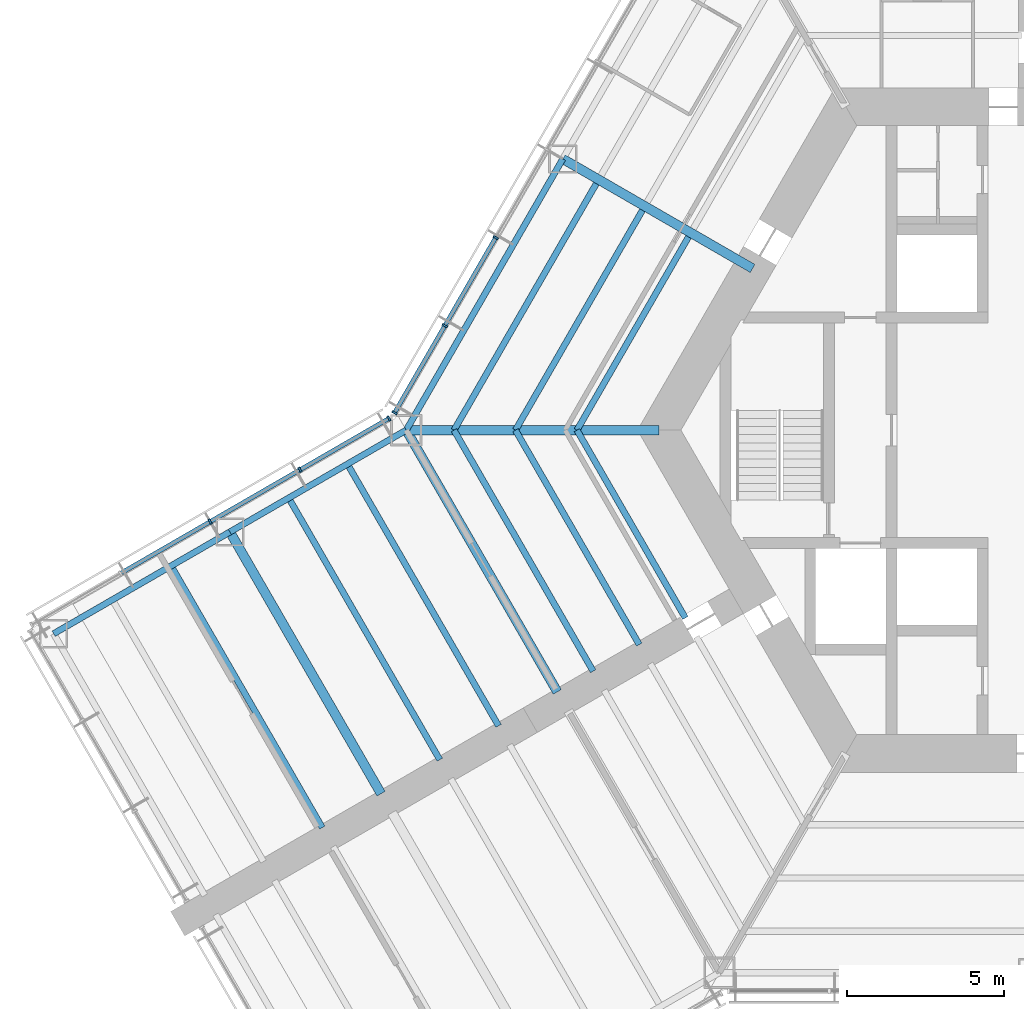
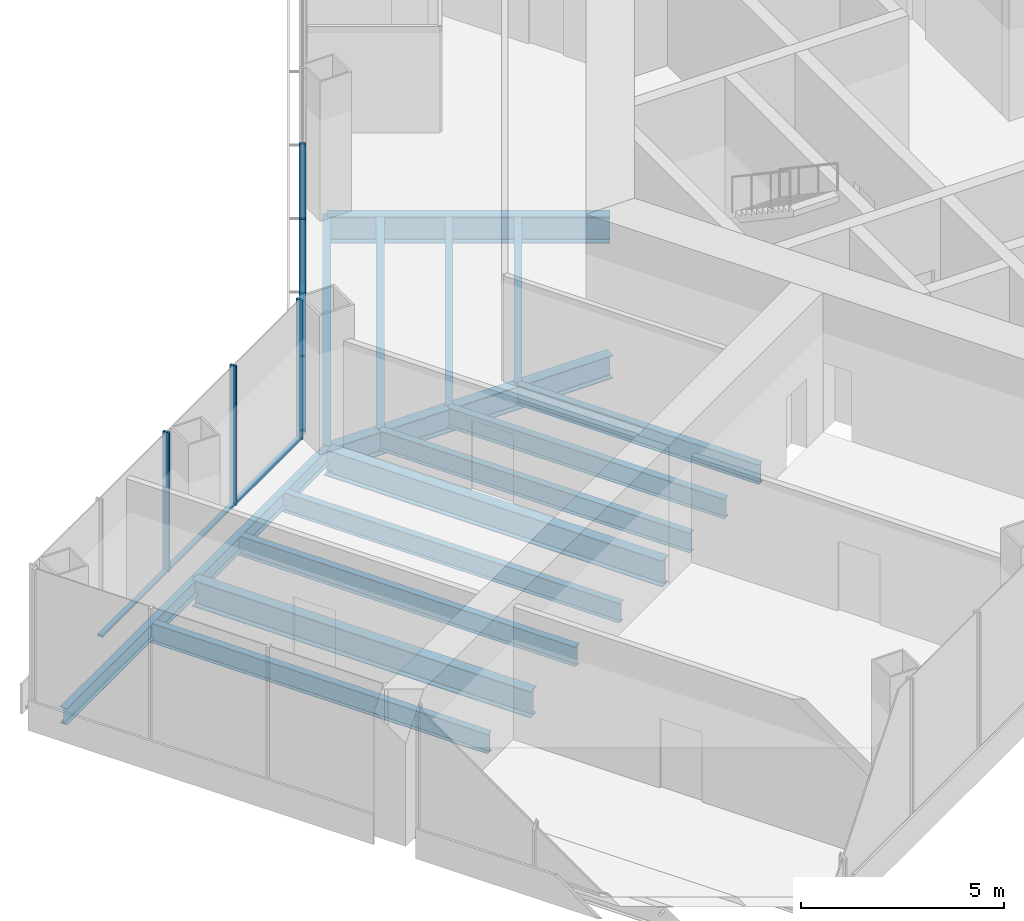
# One storey, part 3 of 16: 16 beams, 11 members, 2 elements without a shape of their own.
"""IFC4 building model written with IfcOpenShell, lengths in metres."""

from ifc_helpers import new_model, si_unit, direction, frame, origin, origin_2d, place, context, subcontext, project, spatial, rectangle, i_section, extrude, material, material_profile, profile_set, type_object, element, aggregate, save


model = new_model("IFC4")

# Units and contexts
model_context = context("Model", 3, precision=1e-05, world=origin(), true_north=direction((0.0, 1.0)))
body_context = subcontext(model_context, "Body", "Model", "MODEL_VIEW")
ifc_project = project(units=[si_unit("LENGTHUNIT", "METRE"), si_unit("AREAUNIT", "SQUARE_METRE"), si_unit("VOLUMEUNIT", "CUBIC_METRE"), si_unit("PLANEANGLEUNIT", "RADIAN"), si_unit("MASSUNIT", "GRAM", prefix="KILO")], contexts=[model_context])

# Site, building, storey
site_placement = place(None, origin())
site = spatial("IfcSite", under=ifc_project, at=site_placement, CompositionType="ELEMENT")
building_placement = place(site_placement, origin())
building = spatial("IfcBuilding", under=site, at=building_placement, Name="Kasaneha Research Tower", CompositionType="ELEMENT")
storey_placement = place(building_placement, frame((0.0, 0.0, 14.199951171875)))
storey = spatial("IfcBuildingStorey", under=building, at=storey_placement, Name="L04", CompositionType="ELEMENT", Elevation=14.199951171875)

# Beams
ifc_material_1 = material(Name="Steel SN490B", Category="steel")
ifc_material_profile_1 = material_profile(ifc_material_1, i_section(OverallWidth=0.199951171875, OverallDepth=0.60009765625, WebThickness=0.010986328125, FlangeThickness=0.01708984375, FilletRadius=0.012939453125, at=origin_2d()), Name="H-600x200x11x17")
ifc_profile_set_1 = profile_set([ifc_material_profile_1], Name="Steel SN490B")
beam_type_1 = type_object("IfcBeamType", Name="B1-1 secondary beam H-600x200x11x17", PredefinedType="JOIST", material=ifc_profile_set_1)
beam_1_placement = place(storey_placement, frame((-14.54931640625, 0.0, -0.5), z_axis=(0.500016104636, 0.866016105569, 0.0), x_axis=(-0.866016105569, 0.500016104636, 0.0)))
element("IfcBeam", 1, at=beam_1_placement, inside=storey, type_object=beam_type_1, Name="Secondary beam RS150R1 L04", PredefinedType="JOIST", context=body_context, shape_type="SweptSolid", body=[
    extrude(i_section(OverallWidth=0.199951171875, OverallDepth=0.60009765625, WebThickness=0.010986328125, FlangeThickness=0.01708984375, FilletRadius=0.012939453125, at=origin_2d()), origin(), (0.0, 0.0, 1.0), 7.124755859375),
])
beam_2_placement = place(storey_placement, frame((-16.51220703125, 0.0, -0.5), z_axis=(0.49999707157, 0.866027094508, 0.0), x_axis=(-0.866027094508, 0.49999707157, 0.0)))
element("IfcBeam", 2, at=beam_2_placement, inside=storey, type_object=beam_type_1, Name="Secondary beam RS150R2 L04", PredefinedType="JOIST", context=body_context, shape_type="SweptSolid", body=[
    extrude(i_section(OverallWidth=0.199951171875, OverallDepth=0.60009765625, WebThickness=0.010986328125, FlangeThickness=0.01708984375, FilletRadius=0.012939453125, at=origin_2d()), origin(), (0.0, 0.0, 1.0), 8.10595703125),
])
beam_3_placement = place(storey_placement, frame((-18.47509765625, 0.0, -0.5), z_axis=(0.499990665392, 0.866030793056, 0.0), x_axis=(-0.866030793056, 0.499990665392, 0.0)))
element("IfcBeam", 3, at=beam_3_placement, inside=storey, type_object=beam_type_1, Name="Secondary beam RS150R3 L04", PredefinedType="JOIST", context=body_context, shape_type="SweptSolid", body=[
    extrude(i_section(OverallWidth=0.199951171875, OverallDepth=0.60009765625, WebThickness=0.010986328125, FlangeThickness=0.01708984375, FilletRadius=0.012939453125, at=origin_2d()), origin(), (0.0, 0.0, 1.0), 9.087646484375),
])
beam_4_placement = place(storey_placement, frame((-14.54931640625, 0.0, -0.5), z_axis=(0.500014420154, -0.866017078145, 0.0), x_axis=(0.866017078145, 0.500014420154, 0.0)))
element("IfcBeam", 4, at=beam_4_placement, inside=storey, type_object=beam_type_1, Name="Secondary beam RS210L1 L04", PredefinedType="JOIST", context=body_context, shape_type="SweptSolid", body=[
    extrude(i_section(OverallWidth=0.199951171875, OverallDepth=0.60009765625, WebThickness=0.010986328125, FlangeThickness=0.01708984375, FilletRadius=0.012939453125, at=origin_2d()), origin(), (0.0, 0.0, 1.0), 6.924560546875),
])
beam_5_placement = place(storey_placement, frame((-16.51220703125, 0.0, -0.5), z_axis=(0.500004902938, -0.866022573054, 0.0), x_axis=(0.866022573054, 0.500004902938, 0.0)))
element("IfcBeam", 5, at=beam_5_placement, inside=storey, type_object=beam_type_1, Name="Secondary beam RS210L2 L04", PredefinedType="JOIST", context=body_context, shape_type="SweptSolid", body=[
    extrude(i_section(OverallWidth=0.199951171875, OverallDepth=0.60009765625, WebThickness=0.010986328125, FlangeThickness=0.01708984375, FilletRadius=0.012939453125, at=origin_2d()), origin(), (0.0, 0.0, 1.0), 7.90625),
])
beam_6_placement = place(storey_placement, frame((-18.47509765625, 0.0, -0.5), z_axis=(0.499988779951, -0.866031881586, 0.0), x_axis=(0.866031881586, 0.499988779951, 0.0)))
element("IfcBeam", 6, at=beam_6_placement, inside=storey, type_object=beam_type_1, Name="Secondary beam RS210L3 L04", PredefinedType="JOIST", context=body_context, shape_type="SweptSolid", body=[
    extrude(i_section(OverallWidth=0.199951171875, OverallDepth=0.60009765625, WebThickness=0.010986328125, FlangeThickness=0.01708984375, FilletRadius=0.012939453125, at=origin_2d()), origin(), (0.0, 0.0, 1.0), 8.887451171875),
])
ifc_material_2 = material(Name="Steel SN490B", Category="steel")
ifc_material_profile_2 = material_profile(ifc_material_2, i_section(OverallWidth=0.198974609375, OverallDepth=0.595947265625, WebThickness=0.010009765625, FlangeThickness=0.014892578125, FilletRadius=0.012939453125, at=origin_2d()), Name="H-596x199x10x15")
ifc_profile_set_2 = profile_set([ifc_material_profile_2], Name="Steel SN490B")
beam_type_2 = type_object("IfcBeamType", Name="B2-1 secondary beam H-596x199x10x15", PredefinedType="JOIST", material=ifc_profile_set_2)
beam_7_placement = place(storey_placement, frame((-21.87646484375, -1.083251953125, -0.498046875), z_axis=(0.500013717211, -0.866017484004, 0.0), x_axis=(0.866017484004, 0.500013717211, 0.0)))
element("IfcBeam", 7, at=beam_7_placement, inside=storey, type_object=beam_type_2, Name="Secondary beam WBBP1 L04", PredefinedType="JOIST", context=body_context, shape_type="SweptSolid", body=[
    extrude(i_section(OverallWidth=0.198974609375, OverallDepth=0.595947265625, WebThickness=0.010009765625, FlangeThickness=0.014892578125, FilletRadius=0.012939453125, at=origin_2d()), origin(), (0.0, 0.0, 1.0), 9.650146484375),
])
for number, where, z_axis, x_axis, name in (
    (8, (-23.752685546875, -2.166748046875, -0.498046875), (0.499994742786, -0.866028439017, 0.0), (0.866028439017, 0.499994742786, 0.0), "Secondary beam WBBP2 L04"),
    (9, (-27.505615234375, -4.333251953125, -0.498046875), (0.499994742786, -0.866028439017, 0.0), (0.866028439017, 0.499994742786, 0.0), "Secondary beam WBBP3 L04"),
):
    element("IfcBeam", number, at=place(storey_placement, frame(where, z_axis=z_axis, x_axis=x_axis)), inside=storey, type_object=beam_type_2, Name=name, PredefinedType="JOIST", context=body_context, shape_type="SweptSolid", body=[
        extrude(i_section(OverallWidth=0.198974609375, OverallDepth=0.595947265625, WebThickness=0.010009765625, FlangeThickness=0.014892578125, FilletRadius=0.012939453125, at=origin_2d()), origin(), (0.0, 0.0, 1.0), 9.64990234375),
    ])

# Curtain wall, members
ifc_material_3 = material(Name="Glass and aluminium", Category="aluminium")
curtain_wall_type = type_object("IfcCurtainWallType", Name="Wet laboratory curtain wall", PredefinedType="USERDEFINED", material=ifc_material_3)
curtain_wall_1_placement = place(storey_placement, origin())
curtain_wall_1 = element("IfcCurtainWall", 10, at=curtain_wall_1_placement, inside=storey, type_object=curtain_wall_type, Name="CW-L1 L04 run 12a", ObjectType="UNITISED CURTAIN WALL", PredefinedType="USERDEFINED")
ifc_material_4 = material(Name="Aluminium 6063-T6", Category="aluminium")
ifc_material_profile_3 = material_profile(ifc_material_4, rectangle(XDim=0.06494140625, YDim=0.179931640625, at=origin_2d()), Name="CW-L1 mullion 65x180")
ifc_profile_set_3 = profile_set([ifc_material_profile_3], Name="Aluminium 6063-T6")
member_type_1 = type_object("IfcMemberType", Name="CW-L1 mullion", PredefinedType="MULLION", material=ifc_profile_set_3)
member_1_placement = place(storey_placement, frame((-17.142822265625, 6.148681640625, 0.0), z_axis=(0.0, 0.0, 1.0), x_axis=(-0.49999996188, -0.866025425793, 0.0)))
member_1 = element("IfcMember", 11, at=member_1_placement, type_object=member_type_1, Name="CW-L1 mullion 5", PredefinedType="MULLION", context=body_context, shape_type="SweptSolid", body=[
    extrude(rectangle(XDim=0.06494140625, YDim=0.179931640625, at=origin_2d()), origin(), (0.0, 0.0, 1.0), 4.199951171875),
])
member_2_placement = place(storey_placement, frame((-18.76611328125, 3.33740234375, 0.0), z_axis=(0.0, 0.0, 1.0), x_axis=(-0.49999996188, -0.866025425793, 0.0)))
member_2 = element("IfcMember", 12, at=member_2_placement, type_object=member_type_1, Name="CW-L1 mullion 6", PredefinedType="MULLION", context=body_context, shape_type="SweptSolid", body=[
    extrude(rectangle(XDim=0.06494140625, YDim=0.179931640625, at=origin_2d()), origin(), (0.0, 0.0, 1.0), 4.199951171875),
])
member_3_placement = place(storey_placement, frame((-20.373046875, 0.553955078125, 0.0), z_axis=(0.0, 0.0, 1.0), x_axis=(-0.49999996188, -0.866025425793, 0.0)))
member_3 = element("IfcMember", 13, at=member_3_placement, type_object=member_type_1, Name="CW-L1 mullion 7", PredefinedType="MULLION", context=body_context, shape_type="SweptSolid", body=[
    extrude(rectangle(XDim=0.06494140625, YDim=0.179931640625, at=origin_2d()), origin(), (0.0, 0.0, 1.0), 4.199951171875),
])

curtain_wall_2_placement = place(storey_placement, origin())
curtain_wall_2 = element("IfcCurtainWall", 14, at=curtain_wall_2_placement, inside=storey, type_object=curtain_wall_type, Name="CW-L1 L04 run 13a", ObjectType="UNITISED CURTAIN WALL", PredefinedType="USERDEFINED")
member_4_placement = place(storey_placement, frame((-20.553955078125, 0.373046875, 0.0), z_axis=(0.0, 0.0, 1.0), x_axis=(-0.866025411464, -0.499999986699, 0.0)))
member_4 = element("IfcMember", 15, at=member_4_placement, type_object=member_type_1, Name="CW-L1 mullion 1", PredefinedType="MULLION", context=body_context, shape_type="SweptSolid", body=[
    extrude(rectangle(XDim=0.06494140625, YDim=0.179931640625, at=origin_2d()), origin(), (0.0, 0.0, 1.0), 4.199951171875),
])
member_5_placement = place(storey_placement, frame((-23.39208984375, -1.265625, 0.0), z_axis=(0.0, 0.0, 1.0), x_axis=(-0.866025411464, -0.499999986699, 0.0)))
member_5 = element("IfcMember", 16, at=member_5_placement, type_object=member_type_1, Name="CW-L1 mullion 2", PredefinedType="MULLION", context=body_context, shape_type="SweptSolid", body=[
    extrude(rectangle(XDim=0.06494140625, YDim=0.179931640625, at=origin_2d()), origin(), (0.0, 0.0, 1.0), 4.199951171875),
])
member_6_placement = place(storey_placement, frame((-26.258544921875, -2.920654296875, 0.0), z_axis=(0.0, 0.0, 1.0), x_axis=(-0.866025411464, -0.499999986699, 0.0)))
member_6 = element("IfcMember", 17, at=member_6_placement, type_object=member_type_1, Name="CW-L1 mullion 3", PredefinedType="MULLION", context=body_context, shape_type="SweptSolid", body=[
    extrude(rectangle(XDim=0.06494140625, YDim=0.179931640625, at=origin_2d()), origin(), (0.0, 0.0, 1.0), 4.199951171875),
])

# Member
ifc_material_5 = material(Name="Aluminium 6063-T6", Category="aluminium")
ifc_material_profile_4 = material_profile(ifc_material_5, rectangle(XDim=0.139892578125, YDim=0.06494140625, at=origin_2d()), Name="CW-L1 transom 140x65")
ifc_profile_set_4 = profile_set([ifc_material_profile_4], Name="Aluminium 6063-T6")
member_type_2 = type_object("IfcMemberType", Name="CW-L1 transom", PredefinedType="USERDEFINED", material=ifc_profile_set_4)
member_7_placement = place(storey_placement, frame((-17.1591796875, 6.12060546875, 0.032470703125), z_axis=(-0.499977104415, -0.866038622153, 0.0), x_axis=(0.866038622153, -0.499977104415, 0.0)))
member_7 = element("IfcMember", 18, at=member_7_placement, type_object=member_type_2, Name="CW-L1 transom 5", ObjectType="TRANSOM", PredefinedType="USERDEFINED", context=body_context, shape_type="SweptSolid", body=[
    extrude(rectangle(XDim=0.139892578125, YDim=0.06494140625, at=origin_2d()), origin(), (0.0, 0.0, 1.0), 3.181396484375),
])

member_8_placement = place(storey_placement, frame((-18.7822265625, 3.30908203125, 0.032470703125), z_axis=(-0.49999985423, -0.866025487945, 0.0), x_axis=(0.866025487945, -0.49999985423, 0.0)))
member_8 = element("IfcMember", 19, at=member_8_placement, type_object=member_type_2, Name="CW-L1 transom 6", ObjectType="TRANSOM", PredefinedType="USERDEFINED", context=body_context, shape_type="SweptSolid", body=[
    extrude(rectangle(XDim=0.139892578125, YDim=0.06494140625, at=origin_2d()), origin(), (0.0, 0.0, 1.0), 3.14892578125),
])

aggregate(curtain_wall_1, [member_1, member_2, member_3, member_7, member_8])

member_9_placement = place(storey_placement, frame((-20.58203125, 0.356689453125, 0.032470703125), z_axis=(-0.866022320763, -0.500005339912, 0.0), x_axis=(0.500005339912, -0.866022320763, 0.0)))
member_9 = element("IfcMember", 20, at=member_9_placement, type_object=member_type_2, Name="CW-L1 transom 1", ObjectType="TRANSOM", PredefinedType="USERDEFINED", context=body_context, shape_type="SweptSolid", body=[
    extrude(rectangle(XDim=0.139892578125, YDim=0.06494140625, at=origin_2d()), origin(), (0.0, 0.0, 1.0), 3.21240234375),
])

member_10_placement = place(storey_placement, frame((-23.42041015625, -1.281982421875, 0.032470703125), z_axis=(-0.866035229914, -0.499982980259, 0.0), x_axis=(0.499982980259, -0.866035229914, 0.0)))
member_10 = element("IfcMember", 21, at=member_10_placement, type_object=member_type_2, Name="CW-L1 transom 2", ObjectType="TRANSOM", PredefinedType="USERDEFINED", context=body_context, shape_type="SweptSolid", body=[
    extrude(rectangle(XDim=0.139892578125, YDim=0.06494140625, at=origin_2d()), origin(), (0.0, 0.0, 1.0), 3.24462890625),
])

member_11_placement = place(storey_placement, frame((-26.28662109375, -2.936767578125, 0.032470703125), z_axis=(-0.866021460221, -0.500006830391, 0.0), x_axis=(0.500006830391, -0.866021460221, 0.0)))
member_11 = element("IfcMember", 22, at=member_11_placement, type_object=member_type_2, Name="CW-L1 transom 3", ObjectType="TRANSOM", PredefinedType="USERDEFINED", context=body_context, shape_type="SweptSolid", body=[
    extrude(rectangle(XDim=0.139892578125, YDim=0.06494140625, at=origin_2d()), origin(), (0.0, 0.0, 1.0), 3.2451171875),
])

aggregate(curtain_wall_2, [member_4, member_5, member_6, member_9, member_10, member_11])

# Beams
ifc_material_6 = material(Name="Steel SN490B", Category="steel")
ifc_material_profile_5 = material_profile(ifc_material_6, i_section(OverallWidth=0.300048828125, OverallDepth=0.699951171875, WebThickness=0.012939453125, FlangeThickness=0.02392578125, FilletRadius=0.01806640625, at=origin_2d()), Name="H-700x300x13x24")
ifc_profile_set_5 = profile_set([ifc_material_profile_5], Name="Steel SN490B")
beam_type_3 = type_object("IfcBeamType", Name="G1-1 radial girder H-700x300x13x24", PredefinedType="BEAM", material=ifc_profile_set_5)
beam_8_placement = place(storey_placement, frame((-11.92236328125, 0.0, -0.550048828125), z_axis=(-1.0, 0.0, 0.0), x_axis=(0.0, -1.0, 0.0)))
element("IfcBeam", 23, at=beam_8_placement, inside=storey, type_object=beam_type_3, Name="Radial girder RV180 L04", PredefinedType="BEAM", context=body_context, shape_type="SweptSolid", body=[
    extrude(i_section(OverallWidth=0.300048828125, OverallDepth=0.699951171875, WebThickness=0.012939453125, FlangeThickness=0.02392578125, FilletRadius=0.01806640625, at=origin_2d()), origin(), (0.0, 0.0, 1.0), 8.07763671875),
])
ifc_material_7 = material(Name="Steel SN490B", Category="steel")
ifc_material_profile_6 = material_profile(ifc_material_7, i_section(OverallWidth=0.300048828125, OverallDepth=0.800048828125, WebThickness=0.013916015625, FlangeThickness=0.02587890625, FilletRadius=0.01806640625, at=origin_2d()), Name="H-800x300x14x26")
ifc_profile_set_6 = profile_set([ifc_material_profile_6], Name="Steel SN490B")
beam_type_4 = type_object("IfcBeamType", Name="G2-1 radial girder H-800x300x14x26", PredefinedType="BEAM", material=ifc_profile_set_6)
beam_9_placement = place(storey_placement, frame((-8.941650390625, 5.16259765625, -0.599853515625), z_axis=(-0.866039713508, 0.499975214012, 0.0), x_axis=(-0.499975214012, -0.866039713508, 0.0)))
element("IfcBeam", 24, at=beam_9_placement, inside=storey, type_object=beam_type_4, Name="Radial girder RM150 L04", PredefinedType="BEAM", context=body_context, shape_type="SweptSolid", body=[
    extrude(i_section(OverallWidth=0.300048828125, OverallDepth=0.800048828125, WebThickness=0.013916015625, FlangeThickness=0.02587890625, FilletRadius=0.01806640625, at=origin_2d()), origin(), (0.0, 0.0, 1.0), 6.995361328125),
])
ifc_material_8 = material(Name="Steel SN490B", Category="steel")
ifc_material_profile_7 = material_profile(ifc_material_8, i_section(OverallWidth=0.300048828125, OverallDepth=0.7919921875, WebThickness=0.013916015625, FlangeThickness=0.02197265625, FilletRadius=0.01806640625, at=origin_2d()), Name="H-792x300x14x22")
ifc_profile_set_7 = profile_set([ifc_material_profile_7], Name="Steel SN490B")
beam_type_5 = type_object("IfcBeamType", Name="G3-1 plate edge girder H-792x300x14x22", PredefinedType="BEAM", material=ifc_profile_set_7)
beam_10_placement = place(storey_placement, frame((-20.0, 0.0, -0.595947265625), z_axis=(0.499994742786, -0.866028439017, 0.0), x_axis=(0.866028439017, 0.499994742786, 0.0)))
element("IfcBeam", 25, at=beam_10_placement, inside=storey, type_object=beam_type_5, Name="Plate edge girder PEBP L04", PredefinedType="BEAM", context=body_context, shape_type="SweptSolid", body=[
    extrude(i_section(OverallWidth=0.300048828125, OverallDepth=0.7919921875, WebThickness=0.013916015625, FlangeThickness=0.02197265625, FilletRadius=0.01806640625, at=origin_2d()), origin(), (0.0, 0.0, 1.0), 9.64990234375),
])
ifc_material_9 = material(Name="Steel SN490B", Category="steel")
ifc_material_profile_8 = material_profile(ifc_material_9, i_section(OverallWidth=0.300048828125, OverallDepth=0.800048828125, WebThickness=0.013916015625, FlangeThickness=0.02587890625, FilletRadius=0.01806640625, at=origin_2d()), Name="H-800x300x14x26")
ifc_profile_set_8 = profile_set([ifc_material_profile_8], Name="Steel SN490B")
beam_type_6 = type_object("IfcBeamType", Name="G4-1 wing girder H-800x300x14x26", PredefinedType="BEAM", material=ifc_profile_set_8)
beam_11_placement = place(storey_placement, frame((-25.629150390625, -3.25, -0.599853515625), z_axis=(0.499994742786, -0.866028439017, 0.0), x_axis=(0.866028439017, 0.499994742786, 0.0)))
element("IfcBeam", 26, at=beam_11_placement, inside=storey, type_object=beam_type_6, Name="Wing girder WGBP L04", PredefinedType="BEAM", context=body_context, shape_type="SweptSolid", body=[
    extrude(i_section(OverallWidth=0.300048828125, OverallDepth=0.800048828125, WebThickness=0.013916015625, FlangeThickness=0.02587890625, FilletRadius=0.01806640625, at=origin_2d()), origin(), (0.0, 0.0, 1.0), 9.64990234375),
])
ifc_material_10 = material(Name="Steel SN490B", Category="steel")
ifc_material_profile_9 = material_profile(ifc_material_10, i_section(OverallWidth=0.199951171875, OverallDepth=0.60009765625, WebThickness=0.010986328125, FlangeThickness=0.01708984375, FilletRadius=0.012939453125, at=origin_2d()), Name="H-600x200x11x17")
ifc_profile_set_9 = profile_set([ifc_material_profile_9], Name="Steel SN490B")
beam_type_7 = type_object("IfcBeamType", Name="SB1-1 spandrel beam H-600x200x11x17", PredefinedType="SPANDREL", material=ifc_profile_set_9)
beam_12_placement = place(storey_placement, frame((-20.0, 0.0, -0.5), z_axis=(0.500004234368, 0.866022959057, 0.0), x_axis=(-0.866022959057, 0.500004234368, 0.0)))
element("IfcBeam", 27, at=beam_12_placement, inside=storey, type_object=beam_type_7, Name="Spandrel beam SR150R L04", PredefinedType="SPANDREL", context=body_context, shape_type="SweptSolid", body=[
    extrude(i_section(OverallWidth=0.199951171875, OverallDepth=0.60009765625, WebThickness=0.010986328125, FlangeThickness=0.01708984375, FilletRadius=0.012939453125, at=origin_2d()), origin(), (0.0, 0.0, 1.0), 10.0),
])
ifc_material_11 = material(Name="Steel SN490B", Category="steel")
ifc_material_profile_10 = material_profile(ifc_material_11, i_section(OverallWidth=0.199951171875, OverallDepth=0.5, WebThickness=0.010009765625, FlangeThickness=0.01611328125, FilletRadius=0.012939453125, at=origin_2d()), Name="H-500x200x10x16")
ifc_profile_set_10 = profile_set([ifc_material_profile_10], Name="Steel SN490B")
beam_type_8 = type_object("IfcBeamType", Name="SB2-1 spandrel beam H-500x200x10x16", PredefinedType="SPANDREL", material=ifc_profile_set_10)
for number, where, z_axis, x_axis, name in (
    (28, (-20.0, 0.0, -0.449951171875), (-0.866024837091, -0.50000098154, 0.0), (0.50000098154, -0.866024837091, 0.0), "Spandrel beam WSBP1 L04"),
    (29, (-25.629150390625, -3.25, -0.449951171875), (-0.866024837091, -0.50000098154, 0.0), (0.50000098154, -0.866024837091, 0.0), "Spandrel beam WSBP2 L04"),
):
    element("IfcBeam", number, at=place(storey_placement, frame(where, z_axis=z_axis, x_axis=x_axis)), inside=storey, type_object=beam_type_8, Name=name, PredefinedType="SPANDREL", context=body_context, shape_type="SweptSolid", body=[
        extrude(i_section(OverallWidth=0.199951171875, OverallDepth=0.5, WebThickness=0.010009765625, FlangeThickness=0.01611328125, FilletRadius=0.012939453125, at=origin_2d()), origin(), (0.0, 0.0, 1.0), 6.5),
    ])

save(model, "model.ifc")
